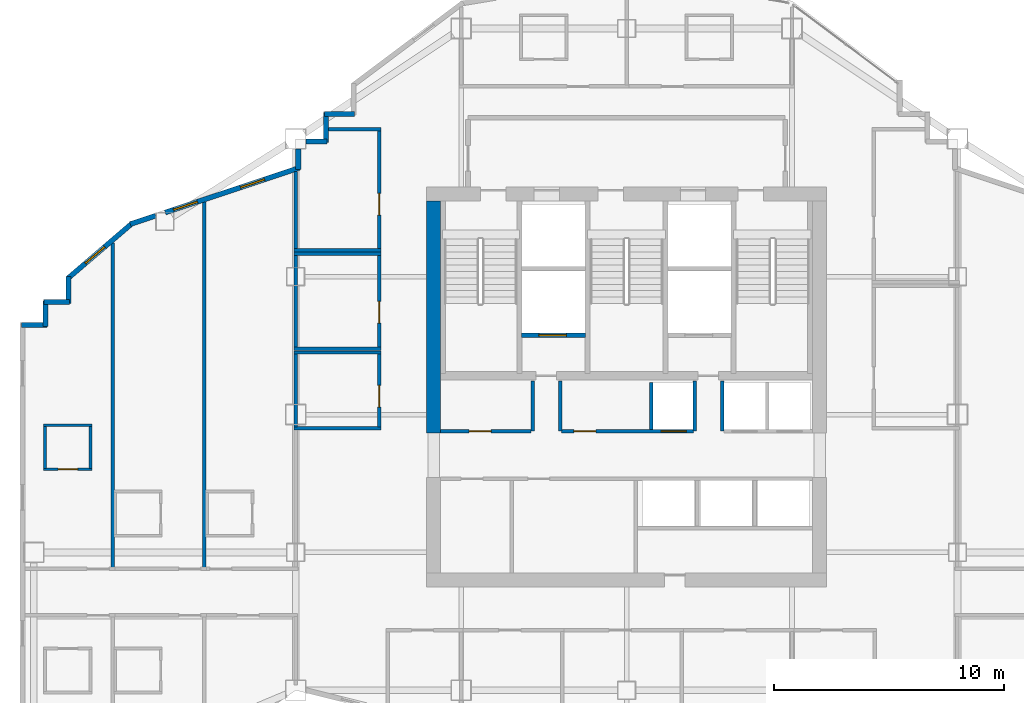
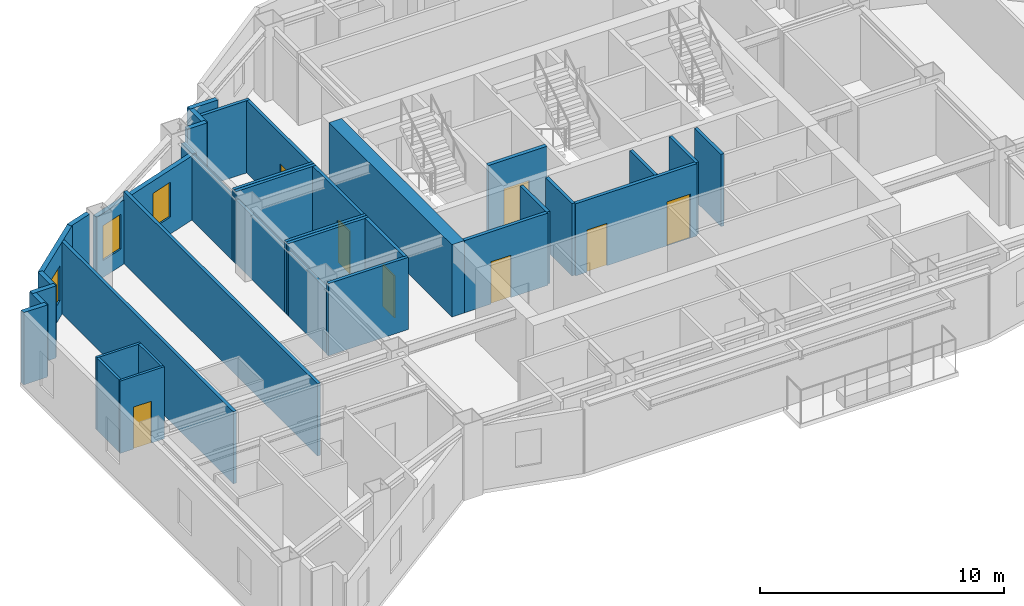
# One storey, part 6 of 11: 38 walls, 8 doors, 3 windows, 11 openings.
"""IFC4 building model written with IfcOpenShell, lengths in metres."""

from ifc_helpers import new_model, si_unit, direction, frame, frame_2d, origin, place, context, subcontext, project, spatial, rectangle, extrude, material, layer, layer_set, type_object, element, fill, save


model = new_model("IFC4")

# Units and contexts
model_context = context("Model", 3, precision=1e-05, world=origin(), true_north=direction((0.0, 1.0)))
body_context = subcontext(model_context, "Body", "Model", "MODEL_VIEW")
ifc_project = project(units=[si_unit("LENGTHUNIT", "METRE"), si_unit("AREAUNIT", "SQUARE_METRE"), si_unit("VOLUMEUNIT", "CUBIC_METRE"), si_unit("PLANEANGLEUNIT", "RADIAN"), si_unit("MASSUNIT", "GRAM", prefix="KILO")], contexts=[model_context])

# Site, building, storey
site_placement = place(None, origin())
site = spatial("IfcSite", under=ifc_project, at=site_placement, CompositionType="ELEMENT")
building_placement = place(site_placement, origin())
building = spatial("IfcBuilding", under=site, at=building_placement, Name="Haolan Belvedere Tower", CompositionType="ELEMENT")
storey_placement = place(building_placement, frame((0.0, 0.0, 211.60009765625)))
storey = spatial("IfcBuildingStorey", under=building, at=storey_placement, Name="L53", CompositionType="ELEMENT", Elevation=211.60009765625)

# Walls
ifc_material_1 = material(Name="Concrete C60/75", Category="concrete")
ifc_layer_1 = layer(ifc_material_1, 0.60009765625, Name="Concrete C60/75")
ifc_layer_set_1 = layer_set([ifc_layer_1], Name="Concrete C60/75")
wall_type_1 = type_object("IfcWallType", Name="WL-CORE-600", PredefinedType="SHEAR", material=ifc_layer_set_1)
wall_1_placement = place(storey_placement, frame((30.0, 32.800048828125, 0.0), z_axis=(0.0, 0.0, 1.0), x_axis=(0.0, 1.0, 0.0)))
element("IfcWall", 1, at=wall_1_placement, inside=storey, type_object=wall_type_1, Name="L53 central core shear wall WN", PredefinedType="SHEAR", context=body_context, shape_type="SweptSolid", body=[
    extrude(rectangle(XDim=10.099853515625, YDim=0.60009765625, at=frame_2d((5.0498046875, 0.0))), origin(), (0.0, 0.0, 1.0), 3.619873046875),
])
ifc_material_2 = material(Name="Precast concrete C40/50", Category="concrete")
ifc_layer_2 = layer(ifc_material_2, 0.219970703125, Name="Precast concrete C40/50")
ifc_layer_set_2 = layer_set([ifc_layer_2], Name="Precast concrete C40/50")
wall_type_2 = type_object("IfcWallType", Name="WL-EXT-220", PredefinedType="SOLIDWALL", material=ifc_layer_set_2)
for number, where, z_axis, x_axis, name in (
    (2, (26.56494140625, 46.68994140625, 0.0), (0.0, 0.0, 1.0), (-1.0, 0.0, 0.0), "L53 pale-metal exterior spandrel wall 25.1"),
    (3, (25.31005859375, 46.7451171875, 0.0), (0.0, 0.0, 1.0), (0.0, -1.0, 0.0), "L53 pale-metal exterior spandrel wall 26.1"),
):
    element("IfcWall", number, at=place(storey_placement, frame(where, z_axis=z_axis, x_axis=x_axis)), inside=storey, type_object=wall_type_2, Name=name, PredefinedType="SOLIDWALL", context=body_context, shape_type="SweptSolid", body=[
        extrude(rectangle(XDim=1.31005859375, YDim=0.219970703125, at=frame_2d((0.655029296875, 0.0))), origin(), (0.0, 0.0, 1.0), 3.619873046875),
    ])
wall_2_placement = place(storey_placement, frame((25.364990234375, 45.489990234375, 0.0), z_axis=(0.0, 0.0, 1.0), x_axis=(-1.0, 0.0, 0.0)))
element("IfcWall", 4, at=wall_2_placement, inside=storey, type_object=wall_type_2, Name="L53 pale-metal exterior spandrel wall 27.1", PredefinedType="SOLIDWALL", context=body_context, shape_type="SweptSolid", body=[
    extrude(rectangle(XDim=0.923095703125, YDim=0.219970703125, at=frame_2d((0.46142578125, 0.0))), origin(), (0.0, 0.0, 1.0), 3.619873046875),
])
wall_3_placement = place(storey_placement, frame((24.110107421875, 45.157958984375, 0.0), z_axis=(0.0, 0.0, 1.0), x_axis=(0.0, -1.0, 0.0)))
element("IfcWall", 5, at=wall_3_placement, inside=storey, type_object=wall_type_2, Name="L53 pale-metal exterior spandrel wall 28.1", PredefinedType="SOLIDWALL", context=body_context, shape_type="SweptSolid", body=[
    extrude(rectangle(XDim=0.892333984375, YDim=0.219970703125, at=frame_2d((0.4462890625, 0.0))), origin(), (0.0, 0.0, 1.0), 3.21484375),
])

# Wall, openings, windows
wall_4_placement = place(storey_placement, frame((24.162109375, 44.338134765625, 0.0), z_axis=(0.0, 0.0, 1.0), x_axis=(-0.948687265055, -0.316215864755, 0.0)))
wall_4 = element("IfcWall", 6, at=wall_4_placement, inside=storey, type_object=wall_type_2, Name="L53 pale-metal exterior spandrel wall 29.1", PredefinedType="SOLIDWALL", context=body_context, shape_type="SweptSolid", body=[
    extrude(rectangle(XDim=6.154052734375, YDim=0.219970703125, at=frame_2d((3.0771484375, 0.0))), origin(), (0.0, 0.0, 1.0), 3.21484375),
])
opening_1_placement = place(wall_4_placement, frame((1.60009765625, 0.0, 0.85009765625)))
opening_1 = element("IfcOpeningElement", 7, at=opening_1_placement, cuts=wall_4, Name="Opening W-03", PredefinedType="OPENING", context=body_context, shape_type="SweptSolid", body=[
    extrude(rectangle(XDim=1.10009765625, YDim=1.75, at=frame_2d((0.550048828125, 0.875))), frame((0.0, 0.119873046875, 0.0), z_axis=(0.0, -1.0, 0.0), x_axis=(1.0, 0.0, 0.0)), (0.0, 0.0, 1.0), 0.239990234375),
])
opening_2_placement = place(wall_4_placement, frame((4.677978515625, 0.0, 0.85009765625)))
opening_2 = element("IfcOpeningElement", 8, at=opening_2_placement, cuts=wall_4, Name="Opening W-03", PredefinedType="OPENING", context=body_context, shape_type="SweptSolid", body=[
    extrude(rectangle(XDim=1.10009765625, YDim=1.75, at=frame_2d((0.550048828125, 0.875))), frame((0.0, 0.119873046875, 0.0), z_axis=(0.0, -1.0, 0.0), x_axis=(1.0, 0.0, 0.0)), (0.0, 0.0, 1.0), 0.239990234375),
])
ifc_material_3 = material(Name="Anodised aluminium 6063-T6 and Low-E glass", Category="aluminium")
window_type = type_object("IfcWindowType", Name="WN-DECO-Z3", PartitioningType="SINGLE_PANEL", PredefinedType="WINDOW", material=ifc_material_3)
window_1_placement = place(opening_1_placement, origin())
window_1 = element("IfcWindow", 9, at=window_1_placement, inside=storey, type_object=window_type, Name="L53 Art Deco chevron window 1", OverallHeight=1.75, OverallWidth=1.10009765625, PartitioningType="SINGLE_PANEL", PredefinedType="WINDOW", context=body_context, shape_type="SweptSolid", body=[
    extrude(rectangle(XDim=1.10009765625, YDim=1.75, at=frame_2d((0.550048828125, 0.875))), frame((0.0, 0.030029296875, 0.0), z_axis=(0.0, -1.0, 0.0), x_axis=(1.0, 0.0, 0.0)), (0.0, 0.0, 1.0), 0.06005859375),
])
fill(opening_1, window_1)
window_2_placement = place(opening_2_placement, origin())
window_2 = element("IfcWindow", 10, at=window_2_placement, inside=storey, type_object=window_type, Name="L53 Art Deco guestroom window 1", OverallHeight=1.75, OverallWidth=1.10009765625, PartitioningType="SINGLE_PANEL", PredefinedType="WINDOW", context=body_context, shape_type="SweptSolid", body=[
    extrude(rectangle(XDim=1.10009765625, YDim=1.75, at=frame_2d((0.550048828125, 0.875))), frame((0.0, 0.030029296875, 0.0), z_axis=(0.0, -1.0, 0.0), x_axis=(1.0, 0.0, 0.0)), (0.0, 0.0, 1.0), 0.06005859375),
])
fill(opening_2, window_2)

# Wall
wall_5_placement = place(storey_placement, frame((17.907958984375, 42.25341796875, 0.0), z_axis=(0.0, 0.0, 1.0), x_axis=(-0.948662335685, -0.316290646166, 0.0)))
element("IfcWall", 11, at=wall_5_placement, inside=storey, type_object=wall_type_2, Name="L53 pale-metal exterior spandrel wall 29.2", PredefinedType="SOLIDWALL", context=body_context, shape_type="SweptSolid", body=[
    extrude(rectangle(XDim=1.164794921875, YDim=0.219970703125, at=frame_2d((0.58251953125, 0.0))), origin(), (0.0, 0.0, 1.0), 3.619873046875),
])

# Wall, opening, window
wall_6_placement = place(storey_placement, frame((16.89697265625, 41.938232421875, 0.0), z_axis=(0.0, 0.0, 1.0), x_axis=(-0.759279729622, -0.650764390686, 0.0)))
wall_6 = element("IfcWall", 12, at=wall_6_placement, inside=storey, type_object=wall_type_2, Name="L53 pale-metal exterior spandrel wall 30.1", PredefinedType="SOLIDWALL", context=body_context, shape_type="SweptSolid", body=[
    extrude(rectangle(XDim=3.725830078125, YDim=0.219970703125, at=frame_2d((1.86279296875, 0.0))), origin(), (0.0, 0.0, 1.0), 3.619873046875),
])
opening_3_placement = place(wall_6_placement, frame((1.60009765625, 0.0, 0.85009765625)))
opening_3 = element("IfcOpeningElement", 13, at=opening_3_placement, cuts=wall_6, Name="Opening W-03", PredefinedType="OPENING", context=body_context, shape_type="SweptSolid", body=[
    extrude(rectangle(XDim=1.10009765625, YDim=1.75, at=frame_2d((0.550048828125, 0.875))), frame((0.0, 0.119873046875, 0.0), z_axis=(0.0, -1.0, 0.0), x_axis=(1.0, 0.0, 0.0)), (0.0, 0.0, 1.0), 0.239990234375),
])
window_3_placement = place(opening_3_placement, origin())
window_3 = element("IfcWindow", 14, at=window_3_placement, inside=storey, type_object=window_type, Name="L53 Art Deco chevron window 1", OverallHeight=1.75, OverallWidth=1.10009765625, PartitioningType="SINGLE_PANEL", PredefinedType="WINDOW", context=body_context, shape_type="SweptSolid", body=[
    extrude(rectangle(XDim=1.10009765625, YDim=1.75, at=frame_2d((0.550048828125, 0.875))), frame((0.0, 0.030029296875, 0.0), z_axis=(0.0, -1.0, 0.0), x_axis=(1.0, 0.0, 0.0)), (0.0, 0.0, 1.0), 0.06005859375),
])
fill(opening_3, window_3)

# Walls
wall_7_placement = place(storey_placement, frame((14.110107421875, 39.6044921875, 0.0), z_axis=(0.0, 0.0, 1.0), x_axis=(0.0, -1.0, 0.0)))
element("IfcWall", 15, at=wall_7_placement, inside=storey, type_object=wall_type_2, Name="L53 pale-metal exterior spandrel wall 31.1", PredefinedType="SOLIDWALL", context=body_context, shape_type="SweptSolid", body=[
    extrude(rectangle(XDim=1.16943359375, YDim=0.219970703125, at=frame_2d((0.584716796875, 0.0))), origin(), (0.0, 0.0, 1.0), 3.619873046875),
])
wall_8_placement = place(storey_placement, frame((14.1650390625, 38.489990234375, 0.0), z_axis=(0.0, 0.0, 1.0), x_axis=(-1.0, 0.0, 0.0)))
element("IfcWall", 16, at=wall_8_placement, inside=storey, type_object=wall_type_2, Name="L53 pale-metal exterior spandrel wall 32.1", PredefinedType="SOLIDWALL", context=body_context, shape_type="SweptSolid", body=[
    extrude(rectangle(XDim=1.110107421875, YDim=0.219970703125, at=frame_2d((0.55517578125, 0.0))), origin(), (0.0, 0.0, 1.0), 3.619873046875),
])
wall_9_placement = place(storey_placement, frame((13.110107421875, 38.544921875, 0.0), z_axis=(0.0, 0.0, 1.0), x_axis=(0.0, -1.0, 0.0)))
element("IfcWall", 17, at=wall_9_placement, inside=storey, type_object=wall_type_2, Name="L53 pale-metal exterior spandrel wall 33.1", PredefinedType="SOLIDWALL", context=body_context, shape_type="SweptSolid", body=[
    extrude(rectangle(XDim=1.10986328125, YDim=0.219970703125, at=frame_2d((0.554931640625, 0.0))), origin(), (0.0, 0.0, 1.0), 3.619873046875),
])
wall_10_placement = place(storey_placement, frame((13.1650390625, 37.489990234375, 0.0), z_axis=(0.0, 0.0, 1.0), x_axis=(-1.0, 0.0, 0.0)))
element("IfcWall", 18, at=wall_10_placement, inside=storey, type_object=wall_type_2, Name="L53 pale-metal exterior spandrel wall 34.1", PredefinedType="SOLIDWALL", context=body_context, shape_type="SweptSolid", body=[
    extrude(rectangle(XDim=1.110107421875, YDim=0.219970703125, at=frame_2d((0.55517578125, 0.0))), origin(), (0.0, 0.0, 1.0), 3.619873046875),
])
ifc_material_4 = material(Name="Double gypsum acoustic stud partition", Category="masonry")
ifc_layer_3 = layer(ifc_material_4, 0.14990234375, Name="Double gypsum acoustic stud partition")
ifc_layer_set_3 = layer_set([ifc_layer_3], Name="Double gypsum acoustic stud partition")
wall_type_3 = type_object("IfcWallType", Name="WL-PART-150", PredefinedType="PARTITIONING", material=ifc_layer_set_3)
for number, where, z_axis, x_axis, name in (
    (19, (23.919921875, 36.300048828125, 0.0), (0.0, 0.0, 1.0), (1.0, 0.0, 0.0), "L53 interior partition IW-L53-AWC-N"),
    (20, (23.919921875, 33.0, 0.0), (0.0, 0.0, 1.0), (1.0, 0.0, 0.0), "L53 interior partition IW-L53-AWC-S"),
):
    element("IfcWall", number, at=place(storey_placement, frame(where, z_axis=z_axis, x_axis=x_axis)), inside=storey, type_object=wall_type_3, Name=name, PredefinedType="PARTITIONING", context=body_context, shape_type="SweptSolid", body=[
        extrude(rectangle(XDim=3.800048828125, YDim=0.14990234375, at=frame_2d((1.89990234375, 0.0))), origin(), (0.0, 0.0, 1.0), 3.619873046875),
    ])
wall_11_placement = place(storey_placement, frame((24.0, 33.06005859375, 0.0), z_axis=(0.0, 0.0, 1.0), x_axis=(0.0, 1.0, 0.0)))
element("IfcWall", 21, at=wall_11_placement, inside=storey, type_object=wall_type_3, Name="L53 interior partition IW-L53-AWC-W", PredefinedType="PARTITIONING", context=body_context, shape_type="SweptSolid", body=[
    extrude(rectangle(XDim=3.179931640625, YDim=0.14990234375, at=frame_2d((1.58984375, 0.0))), origin(), (0.0, 0.0, 1.0), 3.21484375),
])

# Wall, opening, door
wall_12_placement = place(storey_placement, frame((27.639892578125, 33.06005859375, 0.0), z_axis=(0.0, 0.0, 1.0), x_axis=(0.0, 1.0, 0.0)))
wall_12 = element("IfcWall", 22, at=wall_12_placement, inside=storey, type_object=wall_type_3, Name="L53 interior partition IW-L53-AWC-E", PredefinedType="PARTITIONING", context=body_context, shape_type="SweptSolid", body=[
    extrude(rectangle(XDim=3.179931640625, YDim=0.14990234375, at=frame_2d((1.58984375, 0.0))), origin(), (0.0, 0.0, 1.0), 3.619873046875),
])
opening_4_placement = place(wall_12_placement, frame((1.81005859375, 0.0, 0.0), z_axis=(0.0, 0.0, 1.0), x_axis=(-1.0, 0.0, 0.0)))
opening_4 = element("IfcOpeningElement", 23, at=opening_4_placement, cuts=wall_12, Name="Opening ID-03", PredefinedType="OPENING", context=body_context, shape_type="SweptSolid", body=[
    extrude(rectangle(XDim=0.949951171875, YDim=2.1201171875, at=frame_2d((0.47509765625, 1.06005859375))), frame((0.0, 0.0849609375, 0.0), z_axis=(0.0, -1.0, 0.0), x_axis=(1.0, 0.0, 0.0)), (0.0, 0.0, 1.0), 0.169921875),
])
ifc_material_5 = material(Name="Painted solid-core timber", Category="wood")
door_type_1 = type_object("IfcDoorType", Name="DR-INT-950", OperationType="NOTDEFINED", PredefinedType="DOOR", material=ifc_material_5)
door_1_placement = place(opening_4_placement, origin())
door_1 = element("IfcDoor", 24, at=door_1_placement, inside=storey, type_object=door_type_1, Name="L53 door ID-L53-AWC", OperationType="SINGLE_SWING_LEFT", OverallHeight=2.1201171875, OverallWidth=0.949951171875, PredefinedType="DOOR", context=body_context, shape_type="SweptSolid", body=[
    extrude(rectangle(XDim=0.949951171875, YDim=2.1201171875, at=frame_2d((0.47509765625, 1.06005859375))), frame((0.0, 0.02490234375, 0.0), z_axis=(0.0, -1.0, 0.0), x_axis=(1.0, 0.0, 0.0)), (0.0, 0.0, 1.0), 0.050048828125),
])
fill(opening_4, door_1)

# Walls
for number, where, z_axis, x_axis, name in (
    (25, (23.919921875, 40.60009765625, 0.0), (0.0, 0.0, 1.0), (1.0, 0.0, 0.0), "L53 interior partition IW-L53-PNT-N"),
    (26, (23.919921875, 36.4599609375, 0.0), (0.0, 0.0, 1.0), (1.0, 0.0, 0.0), "L53 interior partition IW-L53-PNT-S"),
):
    element("IfcWall", number, at=place(storey_placement, frame(where, z_axis=z_axis, x_axis=x_axis)), inside=storey, type_object=wall_type_3, Name=name, PredefinedType="PARTITIONING", context=body_context, shape_type="SweptSolid", body=[
        extrude(rectangle(XDim=3.800048828125, YDim=0.14990234375, at=frame_2d((1.89990234375, 0.0))), origin(), (0.0, 0.0, 1.0), 3.619873046875),
    ])
wall_13_placement = place(storey_placement, frame((24.0, 36.52001953125, 0.0), z_axis=(0.0, 0.0, 1.0), x_axis=(0.0, 1.0, 0.0)))
element("IfcWall", 27, at=wall_13_placement, inside=storey, type_object=wall_type_3, Name="L53 interior partition IW-L53-PNT-W", PredefinedType="PARTITIONING", context=body_context, shape_type="SweptSolid", body=[
    extrude(rectangle(XDim=4.02001953125, YDim=0.14990234375, at=frame_2d((2.010009765625, 0.0))), origin(), (0.0, 0.0, 1.0), 3.21484375),
])

# Wall, opening, door
wall_14_placement = place(storey_placement, frame((27.639892578125, 36.52001953125, 0.0), z_axis=(0.0, 0.0, 1.0), x_axis=(0.0, 1.0, 0.0)))
wall_14 = element("IfcWall", 28, at=wall_14_placement, inside=storey, type_object=wall_type_3, Name="L53 interior partition IW-L53-PNT-E", PredefinedType="PARTITIONING", context=body_context, shape_type="SweptSolid", body=[
    extrude(rectangle(XDim=4.02001953125, YDim=0.14990234375, at=frame_2d((2.010009765625, 0.0))), origin(), (0.0, 0.0, 1.0), 3.619873046875),
])
opening_5_placement = place(wall_14_placement, frame((2.010009765625, 0.0, 0.0), z_axis=(0.0, 0.0, 1.0), x_axis=(-1.0, 0.0, 0.0)))
opening_5 = element("IfcOpeningElement", 29, at=opening_5_placement, cuts=wall_14, Name="Opening ID-03", PredefinedType="OPENING", context=body_context, shape_type="SweptSolid", body=[
    extrude(rectangle(XDim=0.949951171875, YDim=2.1201171875, at=frame_2d((0.47509765625, 1.06005859375))), frame((0.0, 0.0849609375, 0.0), z_axis=(0.0, -1.0, 0.0), x_axis=(1.0, 0.0, 0.0)), (0.0, 0.0, 1.0), 0.169921875),
])
door_2_placement = place(opening_5_placement, origin())
door_2 = element("IfcDoor", 30, at=door_2_placement, inside=storey, type_object=door_type_1, Name="L53 door ID-L53-PNT", OperationType="SINGLE_SWING_RIGHT", OverallHeight=2.1201171875, OverallWidth=0.949951171875, PredefinedType="DOOR", context=body_context, shape_type="SweptSolid", body=[
    extrude(rectangle(XDim=0.949951171875, YDim=2.1201171875, at=frame_2d((0.47509765625, 1.06005859375))), frame((0.0, 0.02490234375, 0.0), z_axis=(0.0, -1.0, 0.0), x_axis=(1.0, 0.0, 0.0)), (0.0, 0.0, 1.0), 0.050048828125),
])
fill(opening_5, door_2)

# Walls
wall_15_placement = place(storey_placement, frame((25.412109375, 46.02001953125, 0.0), z_axis=(0.0, 0.0, 1.0), x_axis=(1.0, 0.0, 0.0)))
element("IfcWall", 31, at=wall_15_placement, inside=storey, type_object=wall_type_3, Name="L53 interior partition IW-L53-STY-N", PredefinedType="PARTITIONING", context=body_context, shape_type="SweptSolid", body=[
    extrude(rectangle(XDim=2.307861328125, YDim=0.14990234375, at=frame_2d((1.15380859375, 0.0))), origin(), (0.0, 0.0, 1.0), 3.619873046875),
])
wall_16_placement = place(storey_placement, frame((23.919921875, 40.760009765625, 0.0), z_axis=(0.0, 0.0, 1.0), x_axis=(1.0, 0.0, 0.0)))
element("IfcWall", 32, at=wall_16_placement, inside=storey, type_object=wall_type_3, Name="L53 interior partition IW-L53-STY-S", PredefinedType="PARTITIONING", context=body_context, shape_type="SweptSolid", body=[
    extrude(rectangle(XDim=3.800048828125, YDim=0.14990234375, at=frame_2d((1.89990234375, 0.0))), origin(), (0.0, 0.0, 1.0), 3.619873046875),
])
wall_17_placement = place(storey_placement, frame((24.0, 40.820068359375, 0.0), z_axis=(0.0, 0.0, 1.0), x_axis=(0.0, 1.0, 0.0)))
element("IfcWall", 33, at=wall_17_placement, inside=storey, type_object=wall_type_3, Name="L53 interior partition IW-L53-STY-W", PredefinedType="PARTITIONING", context=body_context, shape_type="SweptSolid", body=[
    extrude(rectangle(XDim=3.3564453125, YDim=0.14990234375, at=frame_2d((1.67822265625, 0.0))), origin(), (0.0, 0.0, 1.0), 3.21484375),
])

# Wall, opening, door
wall_18_placement = place(storey_placement, frame((27.639892578125, 40.820068359375, 0.0), z_axis=(0.0, 0.0, 1.0), x_axis=(0.0, 1.0, 0.0)))
wall_18 = element("IfcWall", 34, at=wall_18_placement, inside=storey, type_object=wall_type_3, Name="L53 interior partition IW-L53-STY-E", PredefinedType="PARTITIONING", context=body_context, shape_type="SweptSolid", body=[
    extrude(rectangle(XDim=5.139892578125, YDim=0.14990234375, at=frame_2d((2.56982421875, 0.0))), origin(), (0.0, 0.0, 1.0), 3.619873046875),
])
opening_6_placement = place(wall_18_placement, frame((2.409912109375, 0.0, 0.0), z_axis=(0.0, 0.0, 1.0), x_axis=(-1.0, 0.0, 0.0)))
opening_6 = element("IfcOpeningElement", 35, at=opening_6_placement, cuts=wall_18, Name="Opening ID-03", PredefinedType="OPENING", context=body_context, shape_type="SweptSolid", body=[
    extrude(rectangle(XDim=0.949951171875, YDim=2.1201171875, at=frame_2d((0.47509765625, 1.06005859375))), frame((0.0, 0.0849609375, 0.0), z_axis=(0.0, -1.0, 0.0), x_axis=(1.0, 0.0, 0.0)), (0.0, 0.0, 1.0), 0.169921875),
])
door_3_placement = place(opening_6_placement, origin())
door_3 = element("IfcDoor", 36, at=door_3_placement, inside=storey, type_object=door_type_1, Name="L53 door ID-L53-STY", OperationType="SINGLE_SWING_LEFT", OverallHeight=2.1201171875, OverallWidth=0.949951171875, PredefinedType="DOOR", context=body_context, shape_type="SweptSolid", body=[
    extrude(rectangle(XDim=0.949951171875, YDim=2.1201171875, at=frame_2d((0.47509765625, 1.06005859375))), frame((0.0, 0.02490234375, 0.0), z_axis=(0.0, -1.0, 0.0), x_axis=(1.0, 0.0, 0.0)), (0.0, 0.0, 1.0), 0.050048828125),
])
fill(opening_6, door_3)

# Walls
wall_19_placement = place(storey_placement, frame((16.030029296875, 26.93994140625, 0.0), z_axis=(0.0, 0.0, 1.0), x_axis=(0.0, 1.0, 0.0)))
element("IfcWall", 37, at=wall_19_placement, inside=storey, type_object=wall_type_3, Name="L53 interior partition IW-L53-T2N1-E", PredefinedType="PARTITIONING", context=body_context, shape_type="SweptSolid", body=[
    extrude(rectangle(XDim=14.120849609375, YDim=0.14990234375, at=frame_2d((7.060546875, 0.0))), origin(), (0.0, 0.0, 1.0), 3.619873046875),
])
wall_20_placement = place(storey_placement, frame((20.02001953125, 26.93994140625, 0.0), z_axis=(0.0, 0.0, 1.0), x_axis=(0.0, 1.0, 0.0)))
element("IfcWall", 38, at=wall_20_placement, inside=storey, type_object=wall_type_3, Name="L53 interior partition IW-L53-T2N2-E", PredefinedType="PARTITIONING", context=body_context, shape_type="SweptSolid", body=[
    extrude(rectangle(XDim=15.909912109375, YDim=0.14990234375, at=frame_2d((7.955078125, 0.0))), origin(), (0.0, 0.0, 1.0), 3.619873046875),
])
ifc_material_6 = material(Name="Gypsum fire shaftwall assembly", Category="masonry")
ifc_layer_4 = layer(ifc_material_6, 0.1650390625, Name="Gypsum fire shaftwall assembly")
ifc_layer_set_4 = layer_set([ifc_layer_4], Name="Gypsum fire shaftwall assembly")
wall_type_4 = type_object("IfcWallType", Name="WL-SHAFT-160", PredefinedType="SOLIDWALL", material=ifc_layer_set_4)
for number, where, z_axis, x_axis, name in (
    (39, (34.31005859375, 32.8798828125, 0.0), (0.0, 0.0, 1.0), (0.0, 1.0, 0.0), "L53 interior partition IW-L53-SVP-W-SV1"),
    (40, (35.510009765625, 32.8798828125, 0.0), (0.0, 0.0, 1.0), (0.0, 1.0, 0.0), "L53 interior partition IW-L53-SVP-E-SV1"),
    (41, (41.3701171875, 32.8798828125, 0.0), (0.0, 0.0, 1.0), (0.0, 1.0, 0.0), "L53 interior partition IW-L53-SVP-W-SV2"),
    (42, (42.570068359375, 32.8798828125, 0.0), (0.0, 0.0, 1.0), (0.0, 1.0, 0.0), "L53 interior partition IW-L53-SVP-E-SV2"),
):
    element("IfcWall", number, at=place(storey_placement, frame(where, z_axis=z_axis, x_axis=x_axis)), inside=storey, type_object=wall_type_4, Name=name, PredefinedType="SOLIDWALL", context=body_context, shape_type="SweptSolid", body=[
        extrude(rectangle(XDim=2.170166015625, YDim=0.14990234375, at=frame_2d((1.0849609375, 0.0))), origin(), (0.0, 0.0, 1.0), 3.619873046875),
    ])

# Wall, opening, door
wall_21_placement = place(storey_placement, frame((30.300048828125, 32.8798828125, 0.0), z_axis=(0.0, 0.0, 1.0), x_axis=(1.0, 0.0, 0.0)))
wall_21 = element("IfcWall", 43, at=wall_21_placement, inside=storey, type_object=wall_type_4, Name="L53 interior partition IW-L53-ROW-PN1", PredefinedType="SOLIDWALL", context=body_context, shape_type="SweptSolid", body=[
    extrude(rectangle(XDim=3.949951171875, YDim=0.159912109375, at=frame_2d((1.97509765625, 0.0))), origin(), (0.0, 0.0, 1.0), 3.619873046875),
])
opening_7_placement = place(wall_21_placement, frame((2.199951171875, 0.0, 0.0), z_axis=(0.0, 0.0, 1.0), x_axis=(-1.0, 0.0, 0.0)))
opening_7 = element("IfcOpeningElement", 44, at=opening_7_placement, cuts=wall_21, Name="Opening ID-03", PredefinedType="OPENING", context=body_context, shape_type="SweptSolid", body=[
    extrude(rectangle(XDim=0.949951171875, YDim=2.1201171875, at=frame_2d((0.47509765625, 1.06005859375))), frame((0.0, 0.08984375, 0.0), z_axis=(0.0, -1.0, 0.0), x_axis=(1.0, 0.0, 0.0)), (0.0, 0.0, 1.0), 0.179931640625),
])
door_4_placement = place(opening_7_placement, origin())
door_4 = element("IfcDoor", 45, at=door_4_placement, inside=storey, type_object=door_type_1, Name="L53 door ID-L53-CD-RPLW", OperationType="SINGLE_SWING_LEFT", OverallHeight=2.1201171875, OverallWidth=0.949951171875, PredefinedType="DOOR", context=body_context, shape_type="SweptSolid", body=[
    extrude(rectangle(XDim=0.949951171875, YDim=2.1201171875, at=frame_2d((0.47509765625, 1.06005859375))), frame((0.0, 0.02490234375, 0.0), z_axis=(0.0, -1.0, 0.0), x_axis=(1.0, 0.0, 0.0)), (0.0, 0.0, 1.0), 0.050048828125),
])
fill(opening_7, door_4)

# Wall, openings, doors
wall_22_placement = place(storey_placement, frame((35.570068359375, 32.8798828125, 0.0), z_axis=(0.0, 0.0, 1.0), x_axis=(1.0, 0.0, 0.0)))
wall_22 = element("IfcWall", 46, at=wall_22_placement, inside=storey, type_object=wall_type_4, Name="L53 interior partition IW-L53-ROW-PN2", PredefinedType="SOLIDWALL", context=body_context, shape_type="SweptSolid", body=[
    extrude(rectangle(XDim=5.739990234375, YDim=0.159912109375, at=frame_2d((2.8701171875, 0.0))), origin(), (0.0, 0.0, 1.0), 3.619873046875),
])
opening_8_placement = place(wall_22_placement, frame((1.489990234375, 0.0, 0.0), z_axis=(0.0, 0.0, 1.0), x_axis=(-1.0, 0.0, 0.0)))
opening_8 = element("IfcOpeningElement", 47, at=opening_8_placement, cuts=wall_22, Name="Opening ID-03", PredefinedType="OPENING", context=body_context, shape_type="SweptSolid", body=[
    extrude(rectangle(XDim=0.949951171875, YDim=2.1201171875, at=frame_2d((0.47509765625, 1.06005859375))), frame((0.0, 0.08984375, 0.0), z_axis=(0.0, -1.0, 0.0), x_axis=(1.0, 0.0, 0.0)), (0.0, 0.0, 1.0), 0.179931640625),
])
opening_9_placement = place(wall_22_placement, frame((5.43017578125, 0.0, 0.0), z_axis=(0.0, 0.0, 1.0), x_axis=(-1.0, 0.0, 0.0)))
opening_9 = element("IfcOpeningElement", 48, at=opening_9_placement, cuts=wall_22, Name="Opening LD-01", PredefinedType="OPENING", context=body_context, shape_type="SweptSolid", body=[
    extrude(rectangle(XDim=1.10009765625, YDim=2.199951171875, at=frame_2d((0.550048828125, 1.10009765625))), frame((0.0, 0.08984375, 0.0), z_axis=(0.0, -1.0, 0.0), x_axis=(1.0, 0.0, 0.0)), (0.0, 0.0, 1.0), 0.179931640625),
])
door_5_placement = place(opening_8_placement, origin())
door_5 = element("IfcDoor", 49, at=door_5_placement, inside=storey, type_object=door_type_1, Name="L53 door ID-L53-CD-RPLE", OperationType="SINGLE_SWING_RIGHT", OverallHeight=2.1201171875, OverallWidth=0.949951171875, PredefinedType="DOOR", context=body_context, shape_type="SweptSolid", body=[
    extrude(rectangle(XDim=0.949951171875, YDim=2.1201171875, at=frame_2d((0.47509765625, 1.06005859375))), frame((0.0, 0.02490234375, 0.0), z_axis=(0.0, -1.0, 0.0), x_axis=(1.0, 0.0, 0.0)), (0.0, 0.0, 1.0), 0.050048828125),
])
fill(opening_8, door_5)
ifc_material_7 = material(Name="Brushed champagne stainless steel 316L", Category="steel")
door_type_2 = type_object("IfcDoorType", Name="DR-LIFT-1100", OperationType="SLIDING_TO_LEFT", PredefinedType="DOOR", material=ifc_material_7)
door_6_placement = place(opening_9_placement, origin())
door_6 = element("IfcDoor", 50, at=door_6_placement, inside=storey, type_object=door_type_2, Name="L53 door ID-L53-LD-PH1", OperationType="SLIDING_TO_RIGHT", OverallHeight=2.199951171875, OverallWidth=1.10009765625, PredefinedType="DOOR", context=body_context, shape_type="SweptSolid", body=[
    extrude(rectangle(XDim=1.10009765625, YDim=2.199951171875, at=frame_2d((0.550048828125, 1.10009765625))), frame((0.0, 0.02490234375, 0.0), z_axis=(0.0, -1.0, 0.0), x_axis=(1.0, 0.0, 0.0)), (0.0, 0.0, 1.0), 0.050048828125),
])
fill(opening_9, door_6)

# Wall
wall_23_placement = place(storey_placement, frame((39.469970703125, 32.949951171875, 0.0), z_axis=(0.0, 0.0, 1.0), x_axis=(0.0, 1.0, 0.0)))
element("IfcWall", 51, at=wall_23_placement, inside=storey, type_object=wall_type_4, Name="L53 interior partition IW-L53-DIV-PL4R", PredefinedType="SOLIDWALL", context=body_context, shape_type="SweptSolid", body=[
    extrude(rectangle(XDim=2.050048828125, YDim=0.14990234375, at=frame_2d((1.02490234375, 0.0))), origin(), (0.0, 0.0, 1.0), 3.619873046875),
])

# Wall, opening, door
ifc_layer_5 = layer(ifc_material_2, 0.179931640625, Name="Precast concrete C40/50")
ifc_layer_set_5 = layer_set([ifc_layer_5], Name="Precast concrete C40/50")
wall_type_5 = type_object("IfcWallType", Name="WL-SHAFT-180", PredefinedType="SOLIDWALL", material=ifc_layer_set_5)
wall_24_placement = place(storey_placement, frame((33.8349609375, 37.050048828125, 0.0), z_axis=(0.0, 0.0, 1.0), x_axis=(1.0, 0.0, 0.0)))
wall_24 = element("IfcWall", 52, at=wall_24_placement, inside=storey, type_object=wall_type_5, Name="L53 interior partition IW-L53-SV1-S", PredefinedType="SOLIDWALL", context=body_context, shape_type="SweptSolid", body=[
    extrude(rectangle(XDim=2.77001953125, YDim=0.179931640625, at=frame_2d((1.385009765625, 0.0))), origin(), (0.0, 0.0, 1.0), 3.619873046875),
])
opening_10_placement = place(wall_24_placement, frame((1.945068359375, 0.0, 0.0), z_axis=(0.0, 0.0, 1.0), x_axis=(-1.0, 0.0, 0.0)))
opening_10 = element("IfcOpeningElement", 53, at=opening_10_placement, cuts=wall_24, Name="Opening LD-02", PredefinedType="OPENING", context=body_context, shape_type="SweptSolid", body=[
    extrude(rectangle(XDim=1.199951171875, YDim=2.199951171875, at=frame_2d((0.60009765625, 1.10009765625))), frame((0.0, 0.099853515625, 0.0), z_axis=(0.0, -1.0, 0.0), x_axis=(1.0, 0.0, 0.0)), (0.0, 0.0, 1.0), 0.199951171875),
])
door_type_3 = type_object("IfcDoorType", Name="DR-LIFT-1200", OperationType="SLIDING_TO_RIGHT", PredefinedType="DOOR", material=ifc_material_7)
door_7_placement = place(opening_10_placement, origin())
door_7 = element("IfcDoor", 54, at=door_7_placement, inside=storey, type_object=door_type_3, Name="L53 door ID-L53-LD-SV1", OperationType="SLIDING_TO_RIGHT", OverallHeight=2.199951171875, OverallWidth=1.199951171875, PredefinedType="DOOR", context=body_context, shape_type="SweptSolid", body=[
    extrude(rectangle(XDim=1.199951171875, YDim=2.199951171875, at=frame_2d((0.60009765625, 1.10009765625))), frame((0.0, 0.02490234375, 0.0), z_axis=(0.0, -1.0, 0.0), x_axis=(1.0, 0.0, 0.0)), (0.0, 0.0, 1.0), 0.050048828125),
])
fill(opening_10, door_7)

# Wall
ifc_material_8 = material(Name="Moisture-resistant gypsum tile partition", Category="masonry")
ifc_layer_6 = layer(ifc_material_8, 0.1201171875, Name="Moisture-resistant gypsum tile partition")
ifc_layer_set_6 = layer_set([ifc_layer_6], Name="Moisture-resistant gypsum tile partition")
wall_type_6 = type_object("IfcWallType", Name="WL-WET-120", PredefinedType="PARTITIONING", material=ifc_layer_set_6)
wall_25_placement = place(storey_placement, frame((13.030029296875, 33.135009765625, 0.0), z_axis=(0.0, 0.0, 1.0), x_axis=(1.0, 0.0, 0.0)))
element("IfcWall", 55, at=wall_25_placement, inside=storey, type_object=wall_type_6, Name="L53 interior partition IW-L53-T2N1-BN", PredefinedType="PARTITIONING", context=body_context, shape_type="SweptSolid", body=[
    extrude(rectangle(XDim=2.099853515625, YDim=0.1201171875, at=frame_2d((1.0498046875, 0.0))), origin(), (0.0, 0.0, 1.0), 3.619873046875),
])

# Wall, opening, door
wall_26_placement = place(storey_placement, frame((13.030029296875, 31.215087890625, 0.0), z_axis=(0.0, 0.0, 1.0), x_axis=(1.0, 0.0, 0.0)))
wall_26 = element("IfcWall", 56, at=wall_26_placement, inside=storey, type_object=wall_type_6, Name="L53 interior partition IW-L53-T2N1-BS", PredefinedType="PARTITIONING", context=body_context, shape_type="SweptSolid", body=[
    extrude(rectangle(XDim=2.099853515625, YDim=0.1201171875, at=frame_2d((1.0498046875, 0.0))), origin(), (0.0, 0.0, 1.0), 3.619873046875),
])
opening_11_placement = place(wall_26_placement, frame((0.625, 0.0, 0.0)))
opening_11 = element("IfcOpeningElement", 57, at=opening_11_placement, cuts=wall_26, Name="Opening ID-05", PredefinedType="OPENING", context=body_context, shape_type="SweptSolid", body=[
    extrude(rectangle(XDim=0.85009765625, YDim=2.10009765625, at=frame_2d((0.425048828125, 1.050048828125))), frame((0.0, 0.070068359375, 0.0), z_axis=(0.0, -1.0, 0.0), x_axis=(1.0, 0.0, 0.0)), (0.0, 0.0, 1.0), 0.14013671875),
])
ifc_material_9 = material(Name="Moisture-resistant lacquered timber", Category="wood")
door_type_4 = type_object("IfcDoorType", Name="DR-BATH-850", OperationType="NOTDEFINED", PredefinedType="DOOR", material=ifc_material_9)
door_8_placement = place(opening_11_placement, origin())
door_8 = element("IfcDoor", 58, at=door_8_placement, inside=storey, type_object=door_type_4, Name="L53 door ID-L53-T2N1-BATH", OperationType="SINGLE_SWING_LEFT", OverallHeight=2.10009765625, OverallWidth=0.85009765625, PredefinedType="DOOR", context=body_context, shape_type="SweptSolid", body=[
    extrude(rectangle(XDim=0.85009765625, YDim=2.10009765625, at=frame_2d((0.425048828125, 1.050048828125))), frame((0.0, 0.02490234375, 0.0), z_axis=(0.0, -1.0, 0.0), x_axis=(1.0, 0.0, 0.0)), (0.0, 0.0, 1.0), 0.050048828125),
])
fill(opening_11, door_8)

# Walls
for number, where, z_axis, x_axis, name in (
    (59, (13.090087890625, 31.260009765625, 0.0), (0.0, 0.0, 1.0), (0.0, 1.0, 0.0), "L53 interior partition IW-L53-T2N1-BW"),
    (60, (15.070068359375, 31.260009765625, 0.0), (0.0, 0.0, 1.0), (0.0, 1.0, 0.0), "L53 interior partition IW-L53-T2N1-BE"),
):
    element("IfcWall", number, at=place(storey_placement, frame(where, z_axis=z_axis, x_axis=x_axis)), inside=storey, type_object=wall_type_6, Name=name, PredefinedType="PARTITIONING", context=body_context, shape_type="SweptSolid", body=[
        extrude(rectangle(XDim=1.830078125, YDim=0.1201171875, at=frame_2d((0.9150390625, 0.0))), origin(), (0.0, 0.0, 1.0), 3.619873046875),
    ])

save(model, "model.ifc")
